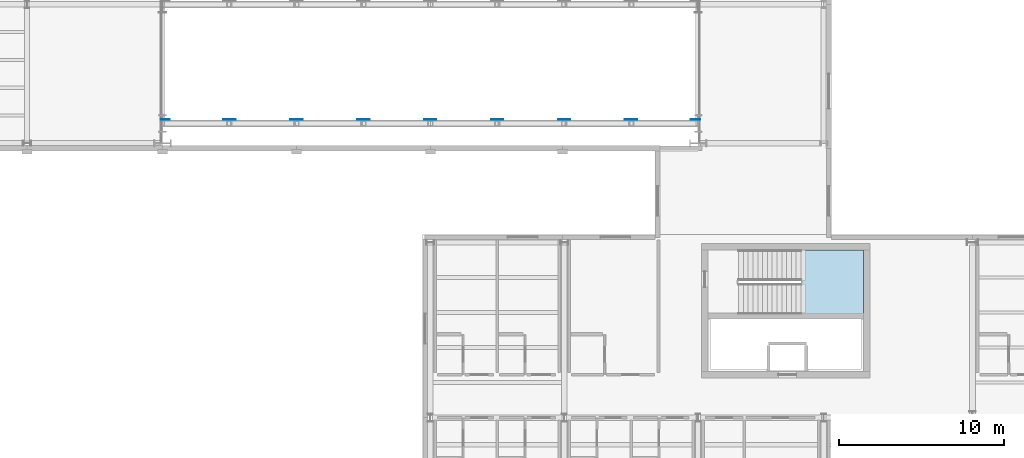
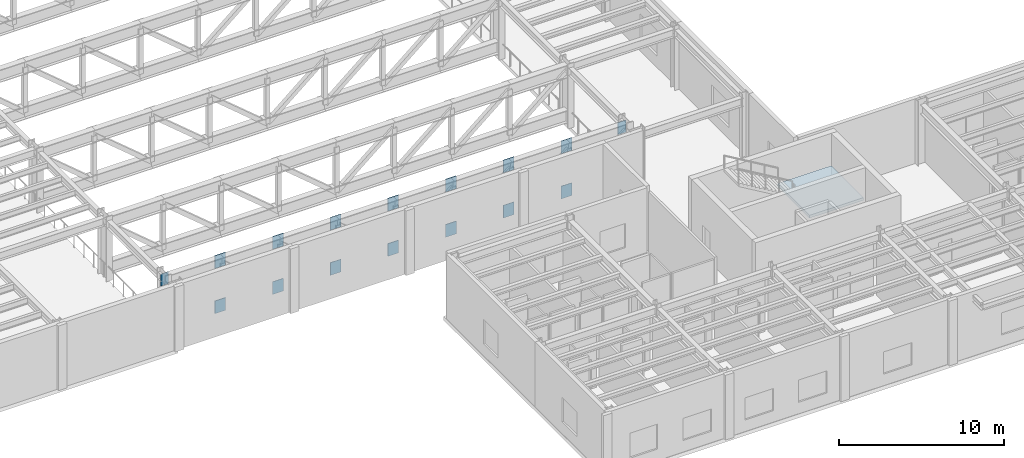
# One storey, part 53 of 91: 16 plates, 1 slab, 1 element without a shape of its own.
"""IFC4 building model written with IfcOpenShell, lengths in metres."""

from ifc_helpers import new_model, si_unit, direction, frame, origin, origin_2d, place, context, subcontext, project, spatial, polyline, rectangle, outline, extrude, material, layer, layer_set, type_object, element, aggregate, save


model = new_model("IFC4")

# Units and contexts
model_context = context("Model", 3, precision=1e-05, world=origin(), true_north=direction((0.0, 1.0)))
body_context = subcontext(model_context, "Body", "Model", "MODEL_VIEW")
ifc_project = project(units=[si_unit("LENGTHUNIT", "METRE"), si_unit("AREAUNIT", "SQUARE_METRE"), si_unit("VOLUMEUNIT", "CUBIC_METRE"), si_unit("PLANEANGLEUNIT", "RADIAN"), si_unit("MASSUNIT", "GRAM", prefix="KILO")], contexts=[model_context])

# Site, building, storey
site_placement = place(None, origin())
site = spatial("IfcSite", under=ifc_project, at=site_placement, CompositionType="ELEMENT")
building_placement = place(site_placement, origin())
building = spatial("IfcBuilding", under=site, at=building_placement, Name="Sollismere Congress Hotel", CompositionType="ELEMENT")
storey_placement = place(building_placement, frame((0.0, 0.0, 10.800048828125)))
storey = spatial("IfcBuildingStorey", under=building, at=storey_placement, Name="L02", CompositionType="ELEMENT", Elevation=10.800048828125)

# Plates
ifc_material_1 = material(Name="Steel ASTM A572 Grade 50", Category="steel")
ifc_layer_1 = layer(ifc_material_1, 0.0400390625, Name="Steel ASTM A572 Grade 50")
ifc_layer_set_1 = layer_set([ifc_layer_1], Name="Steel ASTM A572 Grade 50")
plate_type = type_object("IfcPlateType", Name="PL-GS40", PredefinedType="USERDEFINED", material=ifc_layer_set_1)
for number, where, z_axis, x_axis, name in (
    (1, (22.050048828125, 26.23193359375, 3.56005859375), (0.0, 0.0, 1.0), (1.0, 0.0, 0.0), "PLT-GS-TT1-1"),
    (2, (22.050048828125, 26.23193359375, 0.2099609375), (0.0, 0.0, 1.0), (1.0, 0.0, 0.0), "PLT-GSB-TT1-1"),
    (3, (26.10009765625, 26.23193359375, 3.56005859375), (0.0, 0.0, 1.0), (1.0, 0.0, 0.0), "PLT-GS-TT1-2"),
    (4, (26.10009765625, 26.23193359375, 0.2099609375), (0.0, 0.0, 1.0), (1.0, 0.0, 0.0), "PLT-GSB-TT1-2"),
    (5, (30.14990234375, 26.23193359375, 3.56005859375), (0.0, 0.0, 1.0), (1.0, 0.0, 0.0), "PLT-GS-TT1-3"),
    (6, (30.14990234375, 26.23193359375, 0.2099609375), (0.0, 0.0, 1.0), (1.0, 0.0, 0.0), "PLT-GSB-TT1-3"),
    (7, (34.199951171875, 26.23193359375, 3.56005859375), (0.0, 0.0, 1.0), (1.0, 0.0, 0.0), "PLT-GS-TT1-4"),
    (8, (34.199951171875, 26.23193359375, 0.2099609375), (0.0, 0.0, 1.0), (1.0, 0.0, 0.0), "PLT-GSB-TT1-4"),
    (9, (38.25, 26.23193359375, 3.56005859375), (0.0, 0.0, 1.0), (1.0, 0.0, 0.0), "PLT-GS-TT1-5"),
    (10, (38.25, 26.23193359375, 0.2099609375), (0.0, 0.0, 1.0), (1.0, 0.0, 0.0), "PLT-GSB-TT1-5"),
    (11, (42.300048828125, 26.23193359375, 3.56005859375), (0.0, 0.0, 1.0), (1.0, 0.0, 0.0), "PLT-GS-TT1-6"),
    (12, (42.300048828125, 26.23193359375, 0.2099609375), (0.0, 0.0, 1.0), (1.0, 0.0, 0.0), "PLT-GSB-TT1-6"),
    (13, (46.35009765625, 26.23193359375, 3.56005859375), (0.0, 0.0, 1.0), (1.0, 0.0, 0.0), "PLT-GS-TT1-7"),
    (14, (46.35009765625, 26.23193359375, 0.2099609375), (0.0, 0.0, 1.0), (1.0, 0.0, 0.0), "PLT-GSB-TT1-7"),
):
    element("IfcPlate", number, at=place(storey_placement, frame(where, z_axis=z_axis, x_axis=x_axis)), inside=storey, type_object=plate_type, Name=name, ObjectType="GUSSET PLATE", PredefinedType="USERDEFINED", context=body_context, shape_type="SweptSolid", body=[
        extrude(rectangle(XDim=0.75, YDim=0.0400390625, at=origin_2d()), origin(), (0.0, 0.0, 1.0), 0.93994140625),
    ])
for number, where, z_axis, x_axis, name in (
    (15, (18.159912109375, 26.23193359375, 3.590087890625), (0.0, 0.0, 1.0), (1.0, 0.0, 0.0), "PLT-GSE-TT1-W"),
    (16, (50.239990234375, 26.23193359375, 3.590087890625), (0.0, 0.0, 1.0), (1.0, 0.0, 0.0), "PLT-GSE-TT1-E"),
):
    element("IfcPlate", number, at=place(storey_placement, frame(where, z_axis=z_axis, x_axis=x_axis)), inside=storey, type_object=plate_type, Name=name, ObjectType="GUSSET PLATE", PredefinedType="USERDEFINED", context=body_context, shape_type="SweptSolid", body=[
        extrude(rectangle(XDim=0.550048828125, YDim=0.0400390625, at=origin_2d()), origin(), (0.0, 0.0, 1.0), 0.8798828125),
    ])

# Stair, slab
ifc_material_2 = material(Name="Concrete C40/50", Category="concrete")
stair_type = type_object("IfcStairType", Name="STR-DL-480", PredefinedType="HALF_TURN_STAIR", material=ifc_material_2)
stair_placement = place(storey_placement, origin())
stair = element("IfcStair", 17, at=stair_placement, inside=storey, type_object=stair_type, Name="Protected exit stair ST-06-L02", PredefinedType="HALF_TURN_STAIR")
ifc_layer_2 = layer(ifc_material_2, 0.199951171875, Name="Concrete C40/50")
ifc_layer_set_2 = layer_set([ifc_layer_2], Name="Concrete C40/50")
slab_type = type_object("IfcSlabType", Name="SL-LND200", PredefinedType="LANDING", material=ifc_layer_set_2)
slab_placement = place(storey_placement, frame((0.0, 0.0, 2.199951171875)))
slab = element("IfcSlab", 18, at=slab_placement, type_object=slab_type, Name="Exit stair half-landing ST-06-L02-L1", PredefinedType="LANDING", context=body_context, shape_type="SweptSolid", body=[
    extrude(outline(polyline([(56.6201171875, 14.449951171875), (60.39990234375, 14.449951171875), (60.39990234375, 18.35009765625), (56.6201171875, 18.35009765625), (56.6201171875, 14.449951171875)])), origin(), (0.0, 0.0, 1.0), 0.199951171875),
])
aggregate(stair, [slab])

save(model, "model.ifc")
